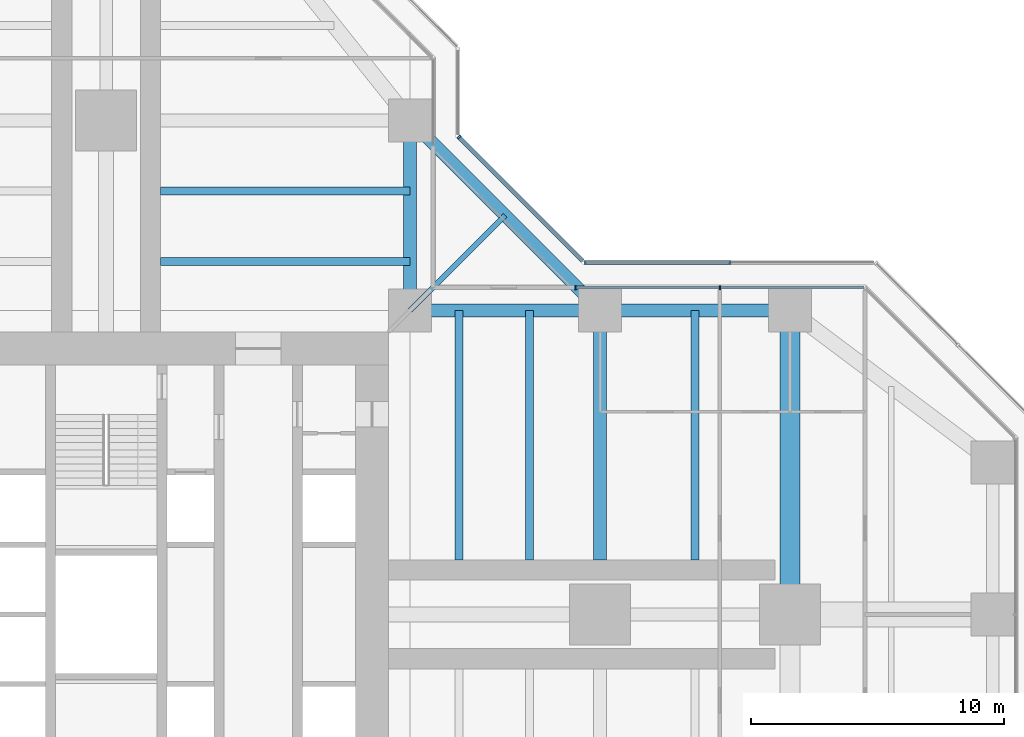
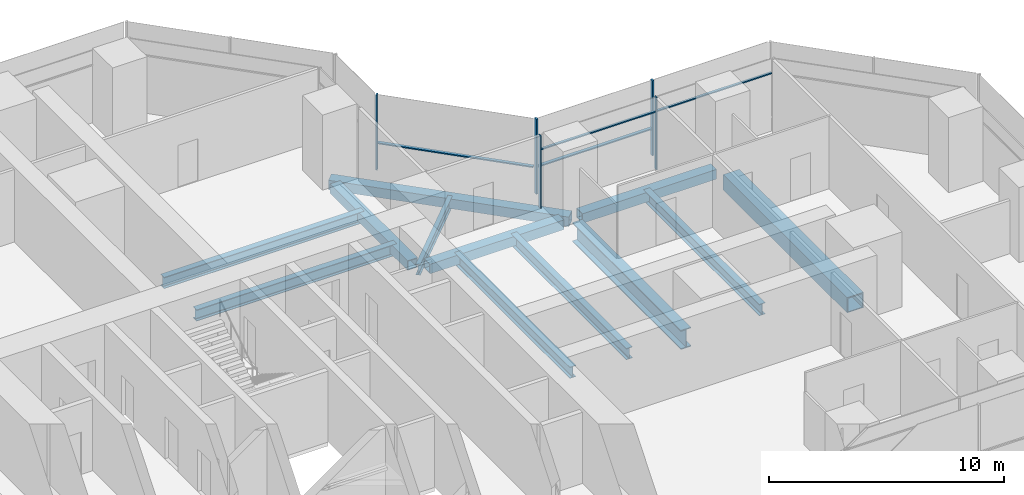
# One storey, part 9 of 20: 12 beams, 9 members, 3 elements without a shape of their own.
"""IFC4 building model written with IfcOpenShell, lengths in metres."""

from ifc_helpers import new_model, si_unit, direction, frame, origin, origin_2d, place, context, subcontext, project, spatial, rectangle, hollow_rectangle, i_section, extrude, material, material_profile, profile_set, type_object, element, aggregate, save


model = new_model("IFC4")

# Units and contexts
model_context = context("Model", 3, precision=1e-05, world=origin(), true_north=direction((0.0, 1.0)))
body_context = subcontext(model_context, "Body", "Model", "MODEL_VIEW")
ifc_project = project(units=[si_unit("LENGTHUNIT", "METRE"), si_unit("AREAUNIT", "SQUARE_METRE"), si_unit("VOLUMEUNIT", "CUBIC_METRE"), si_unit("PLANEANGLEUNIT", "RADIAN"), si_unit("MASSUNIT", "GRAM", prefix="KILO")], contexts=[model_context])

# Site, building, storey
site_placement = place(None, origin())
site = spatial("IfcSite", under=ifc_project, at=site_placement, CompositionType="ELEMENT")
building_placement = place(site_placement, origin())
building = spatial("IfcBuilding", under=site, at=building_placement, Name="Mizan Broadcast Tower", CompositionType="ELEMENT")
storey_placement = place(building_placement, frame((0.0, 0.0, 139.800048828125)))
storey = spatial("IfcBuildingStorey", under=building, at=storey_placement, Name="L31", CompositionType="ELEMENT", Elevation=139.800048828125)

# Beams
ifc_material_1 = material(Name="Steel S355", Category="steel")
ifc_material_profile_1 = material_profile(ifc_material_1, hollow_rectangle(XDim=0.5, YDim=0.5, WallThickness=0.030029296875, at=origin_2d()), Name="BOX 500x500x30")
ifc_profile_set_1 = profile_set([ifc_material_profile_1], Name="Steel S355")
beam_type_1 = type_object("IfcBeamType", Name="EDGE BEAM BOX 500x500x30", PredefinedType="SPANDREL", material=ifc_profile_set_1)
for number, where, z_axis, x_axis, name in (
    (1, (12.449951171875, 12.0, -0.380126953125), (1.0, 0.0, 0.0), (0.0, 1.0, 0.0), "Edge beam BOX 500x500x30 L31 east arm"),
    (2, (19.949951171875, 12.0, -0.380126953125), (1.0, 0.0, 0.0), (0.0, 1.0, 0.0), "Edge beam BOX 500x500x30 L31 east arm"),
    (3, (12.0, 12.449951171875, -0.380126953125), (0.0, 1.0, 0.0), (-1.0, 0.0, 0.0), "Edge beam BOX 500x500x30 L31 north arm"),
):
    element("IfcBeam", number, at=place(storey_placement, frame(where, z_axis=z_axis, x_axis=x_axis)), inside=storey, type_object=beam_type_1, Name=name, PredefinedType="SPANDREL", context=body_context, shape_type="SweptSolid", body=[
        extrude(hollow_rectangle(XDim=0.5, YDim=0.5, WallThickness=0.030029296875, at=origin_2d()), origin(), (0.0, 0.0, 1.0), 6.60009765625),
    ])
beam_1_placement = place(storey_placement, frame((19.5, 12.0, -0.380126953125), z_axis=(-0.707106781187, 0.707106781187, 0.0), x_axis=(-0.707106781187, -0.707106781187, 0.0)))
element("IfcBeam", 4, at=beam_1_placement, inside=storey, type_object=beam_type_1, Name="Winter garden edge beam L31 E", PredefinedType="SPANDREL", context=body_context, shape_type="SweptSolid", body=[
    extrude(hollow_rectangle(XDim=0.5, YDim=0.5, WallThickness=0.030029296875, at=origin_2d()), origin(), (0.0, 0.0, 1.0), 10.606689453125),
])
ifc_material_2 = material(Name="Steel S460", Category="steel")
ifc_material_profile_2 = material_profile(ifc_material_2, hollow_rectangle(XDim=0.800048828125, YDim=0.800048828125, WallThickness=0.050048828125, at=origin_2d()), Name="BOX 800x800x50")
ifc_profile_set_2 = profile_set([ifc_material_profile_2], Name="Steel S460")
beam_type_2 = type_object("IfcBeamType", Name="GIRDER BOX 800x800x50", PredefinedType="BEAM", material=ifc_profile_set_2)
beam_2_placement = place(storey_placement, frame((27.0, 11.280029296875, -0.530029296875), z_axis=(0.0, -1.0, 0.0), x_axis=(1.0, 0.0, 0.0)))
element("IfcBeam", 5, at=beam_2_placement, inside=storey, type_object=beam_type_2, Name="Girder BOX 800x800x50 L31 east arm", PredefinedType="BEAM", context=body_context, shape_type="SweptSolid", body=[
    extrude(hollow_rectangle(XDim=0.800048828125, YDim=0.800048828125, WallThickness=0.050048828125, at=origin_2d()), origin(), (0.0, 0.0, 1.0), 10.56005859375),
])
ifc_material_3 = material(Name="Steel S460", Category="steel")
ifc_material_profile_3 = material_profile(ifc_material_3, i_section(OverallWidth=0.5, OverallDepth=1.0, WebThickness=0.02490234375, FlangeThickness=0.050048828125, at=origin_2d()), Name="WPG 1000x500")
ifc_profile_set_3 = profile_set([ifc_material_profile_3], Name="Steel S460")
beam_type_3 = type_object("IfcBeamType", Name="GIRDER WPG 1000x500", PredefinedType="BEAM", material=ifc_profile_set_3)
beam_3_placement = place(storey_placement, frame((19.5, 11.408935546875, -0.630126953125), z_axis=(0.0, -1.0, 0.0), x_axis=(1.0, 0.0, 0.0)))
element("IfcBeam", 6, at=beam_3_placement, inside=storey, type_object=beam_type_3, Name="Girder WPG 1000x500 L31 east arm", PredefinedType="BEAM", context=body_context, shape_type="SweptSolid", body=[
    extrude(i_section(OverallWidth=0.5, OverallDepth=1.0, WebThickness=0.02490234375, FlangeThickness=0.050048828125, at=origin_2d()), origin(), (0.0, 0.0, 1.0), 9.259033203125),
])

# Curtain wall, members
ifc_material_4 = material(Name="Aluminium framed glazing", Category="aluminium")
curtain_wall_type_1 = type_object("IfcCurtainWallType", Name="INNER SKIN MID ZONE", PredefinedType="USERDEFINED", material=ifc_material_4)
curtain_wall_1_placement = place(storey_placement, origin())
curtain_wall_1 = element("IfcCurtainWall", 7, at=curtain_wall_1_placement, inside=storey, type_object=curtain_wall_type_1, Name="Inner skin mid zone L31 E side", ObjectType="INNER SKIN MID ZONE", PredefinedType="USERDEFINED")
ifc_material_5 = material(Name="Aluminium, pale anodised", Category="aluminium")
ifc_material_profile_4 = material_profile(ifc_material_5, rectangle(XDim=0.159912109375, YDim=0.06005859375, at=origin_2d()), Name="MULLION 160x60")
ifc_profile_set_4 = profile_set([ifc_material_profile_4], Name="Aluminium, pale anodised")
member_type_1 = type_object("IfcMemberType", Name="INNER SKIN MULLION 60x160", PredefinedType="MULLION", material=ifc_profile_set_4)
member_1_placement = place(storey_placement, frame((24.229248046875, 12.89990234375, 0.0), z_axis=(0.0, 0.0, 1.0), x_axis=(0.0, -1.0, 0.0)))
member_1 = element("IfcMember", 8, at=member_1_placement, type_object=member_type_1, Name="Inner skin mid zone L31 E side mullion 2", PredefinedType="MULLION", context=body_context, shape_type="SweptSolid", body=[
    extrude(rectangle(XDim=0.159912109375, YDim=0.06005859375, at=origin_2d()), origin(), (0.0, 0.0, 1.0), 3.77001953125),
])
member_2_placement = place(storey_placement, frame((18.530029296875, 12.89990234375, 0.0), z_axis=(0.0, 0.0, 1.0), x_axis=(0.0, -1.0, 0.0)))
member_2 = element("IfcMember", 9, at=member_2_placement, type_object=member_type_1, Name="Inner skin mid zone L31 E side mullion 3", PredefinedType="MULLION", context=body_context, shape_type="SweptSolid", body=[
    extrude(rectangle(XDim=0.159912109375, YDim=0.06005859375, at=origin_2d()), origin(), (0.0, 0.0, 1.0), 3.77001953125),
])
ifc_material_6 = material(Name="Aluminium, pale anodised", Category="aluminium")
ifc_material_profile_5 = material_profile(ifc_material_6, rectangle(XDim=0.1201171875, YDim=0.06005859375, at=origin_2d()), Name="TRANSOM 120x60")
ifc_profile_set_5 = profile_set([ifc_material_profile_5], Name="Aluminium, pale anodised")
member_type_2 = type_object("IfcMemberType", Name="INNER SKIN TRANSOM 60x120", PredefinedType="USERDEFINED", material=ifc_profile_set_5)
member_3_placement = place(storey_placement, frame((29.898681640625, 12.89990234375, 3.030029296875), z_axis=(-1.0, 0.0, 0.0), x_axis=(0.0, -1.0, 0.0)))
member_3 = element("IfcMember", 10, at=member_3_placement, type_object=member_type_2, Name="Inner skin mid zone L31 E side transom 1.1", ObjectType="TRANSOM", PredefinedType="USERDEFINED", context=body_context, shape_type="SweptSolid", body=[
    extrude(rectangle(XDim=0.1201171875, YDim=0.06005859375, at=origin_2d()), origin(), (0.0, 0.0, 1.0), 5.639404296875),
])
member_4_placement = place(storey_placement, frame((24.19921875, 12.89990234375, 3.030029296875), z_axis=(-1.0, 0.0, 0.0), x_axis=(0.0, -1.0, 0.0)))
member_4 = element("IfcMember", 11, at=member_4_placement, type_object=member_type_2, Name="Inner skin mid zone L31 E side transom 2.1", ObjectType="TRANSOM", PredefinedType="USERDEFINED", context=body_context, shape_type="SweptSolid", body=[
    extrude(rectangle(XDim=0.1201171875, YDim=0.06005859375, at=origin_2d()), origin(), (0.0, 0.0, 1.0), 5.63916015625),
])
aggregate(curtain_wall_1, [member_1, member_2, member_3, member_4])

ifc_material_7 = material(Name="Aluminium framed glazing", Category="aluminium")
curtain_wall_type_2 = type_object("IfcCurtainWallType", Name="OUTER SKIN", PredefinedType="USERDEFINED", material=ifc_material_7)
curtain_wall_2_placement = place(storey_placement, origin())
curtain_wall_2 = element("IfcCurtainWall", 12, at=curtain_wall_2_placement, inside=storey, type_object=curtain_wall_type_2, Name="Outer skin L31 E side", ObjectType="OUTER SKIN", PredefinedType="USERDEFINED")
ifc_material_8 = material(Name="Aluminium, pale anodised", Category="aluminium")
ifc_material_profile_6 = material_profile(ifc_material_8, rectangle(XDim=0.159912109375, YDim=0.080078125, at=origin_2d()), Name="MULLION 160x80")
ifc_profile_set_6 = profile_set([ifc_material_profile_6], Name="Aluminium, pale anodised")
member_type_3 = type_object("IfcMemberType", Name="OUTER SKIN MULLION 80x160", PredefinedType="MULLION", material=ifc_profile_set_6)
member_5_placement = place(storey_placement, frame((24.622802734375, 13.89990234375, 0.0), z_axis=(0.0, 0.0, 1.0), x_axis=(0.0, -1.0, 0.0)))
member_5 = element("IfcMember", 13, at=member_5_placement, type_object=member_type_3, Name="Outer skin L31 E side mullion 2", PredefinedType="MULLION", context=body_context, shape_type="SweptSolid", body=[
    extrude(rectangle(XDim=0.159912109375, YDim=0.080078125, at=origin_2d()), origin(), (0.0, 0.0, 1.0), 3.89990234375),
])
member_6_placement = place(storey_placement, frame((18.912841796875, 13.89990234375, 0.0), z_axis=(0.0, 0.0, 1.0), x_axis=(0.0, -1.0, 0.0)))
member_6 = element("IfcMember", 14, at=member_6_placement, type_object=member_type_3, Name="Outer skin L31 E side mullion 3", PredefinedType="MULLION", context=body_context, shape_type="SweptSolid", body=[
    extrude(rectangle(XDim=0.159912109375, YDim=0.080078125, at=origin_2d()), origin(), (0.0, 0.0, 1.0), 3.89990234375),
])

# Curtain wall, member
curtain_wall_3_placement = place(storey_placement, origin())
curtain_wall_3 = element("IfcCurtainWall", 15, at=curtain_wall_3_placement, inside=storey, type_object=curtain_wall_type_2, Name="Outer skin L31 E chamfer", ObjectType="OUTER SKIN", PredefinedType="USERDEFINED")
member_7_placement = place(storey_placement, frame((13.92822265625, 18.844482421875, 0.0), z_axis=(0.0, 0.0, 1.0), x_axis=(-0.707106781187, -0.707106781187, 0.0)))
member_7 = element("IfcMember", 16, at=member_7_placement, type_object=member_type_3, Name="Outer skin L31 E chamfer mullion 2", PredefinedType="MULLION", context=body_context, shape_type="SweptSolid", body=[
    extrude(rectangle(XDim=0.159912109375, YDim=0.080078125, at=origin_2d()), origin(), (0.0, 0.0, 1.0), 3.89990234375),
])

# Member
ifc_material_9 = material(Name="Aluminium, pale anodised", Category="aluminium")
ifc_material_profile_7 = material_profile(ifc_material_9, rectangle(XDim=0.159912109375, YDim=0.06005859375, at=origin_2d()), Name="TRANSOM 160x60")
ifc_profile_set_7 = profile_set([ifc_material_profile_7], Name="Aluminium, pale anodised")
member_type_4 = type_object("IfcMemberType", Name="OUTER SKIN TRANSOM 60x160", PredefinedType="USERDEFINED", material=ifc_profile_set_7)
member_8_placement = place(storey_placement, frame((24.582763671875, 13.89990234375, 1.39990234375), z_axis=(-1.0, 0.0, 0.0), x_axis=(0.0, -1.0, 0.0)))
member_8 = element("IfcMember", 17, at=member_8_placement, type_object=member_type_4, Name="Outer skin L31 E side transom 2.1", ObjectType="TRANSOM", PredefinedType="USERDEFINED", context=body_context, shape_type="SweptSolid", body=[
    extrude(rectangle(XDim=0.159912109375, YDim=0.06005859375, at=origin_2d()), origin(), (0.0, 0.0, 1.0), 5.6298828125),
])

aggregate(curtain_wall_2, [member_5, member_6, member_8])

member_9_placement = place(storey_placement, frame((18.816162109375, 13.95654296875, 1.39990234375), z_axis=(-0.707106781187, 0.707106781187, 0.0), x_axis=(-0.707106781187, -0.707106781187, 0.0)))
member_9 = element("IfcMember", 18, at=member_9_placement, type_object=member_type_4, Name="Outer skin L31 E chamfer transom 1.1", ObjectType="TRANSOM", PredefinedType="USERDEFINED", context=body_context, shape_type="SweptSolid", body=[
    extrude(rectangle(XDim=0.159912109375, YDim=0.06005859375, at=origin_2d()), origin(), (0.0, 0.0, 1.0), 6.87255859375),
])

aggregate(curtain_wall_3, [member_7, member_9])

# Beams
ifc_material_10 = material(Name="Steel S355", Category="steel")
ifc_material_profile_8 = material_profile(ifc_material_10, i_section(OverallWidth=0.300048828125, OverallDepth=0.590087890625, WebThickness=0.012939453125, FlangeThickness=0.02490234375, FilletRadius=0.027099609375, at=origin_2d()), Name="HEA 600")
ifc_profile_set_8 = profile_set([ifc_material_profile_8], Name="Steel S355")
beam_type_4 = type_object("IfcBeamType", Name="SECONDARY BEAM HEA 600", PredefinedType="JOIST", material=ifc_profile_set_8)
for number, where, z_axis, x_axis, name in (
    (19, (13.933349609375, 12.0, -0.425048828125), (0.0, -1.0, 0.0), (1.0, 0.0, 0.0), "Secondary beam HEA 600 L31 east arm"),
    (20, (16.716552734375, 12.0, -0.425048828125), (0.0, -1.0, 0.0), (1.0, 0.0, 0.0), "Secondary beam HEA 600 L31 east arm"),
    (21, (23.25, 12.0, -0.425048828125), (0.0, -1.0, 0.0), (1.0, 0.0, 0.0), "Secondary beam HEA 600 L31 east arm"),
    (22, (12.0, 13.933349609375, -0.425048828125), (-1.0, 0.0, 0.0), (0.0, -1.0, 0.0), "Secondary beam HEA 600 L31 north arm"),
    (23, (12.0, 16.716552734375, -0.425048828125), (-1.0, 0.0, 0.0), (0.0, -1.0, 0.0), "Secondary beam HEA 600 L31 north arm"),
):
    element("IfcBeam", number, at=place(storey_placement, frame(where, z_axis=z_axis, x_axis=x_axis)), inside=storey, type_object=beam_type_4, Name=name, PredefinedType="JOIST", context=body_context, shape_type="SweptSolid", body=[
        extrude(i_section(OverallWidth=0.300048828125, OverallDepth=0.590087890625, WebThickness=0.012939453125, FlangeThickness=0.02490234375, FilletRadius=0.027099609375, at=origin_2d()), origin(), (0.0, 0.0, 1.0), 9.85009765625),
    ])
ifc_material_11 = material(Name="Steel S355", Category="steel")
ifc_material_profile_9 = material_profile(ifc_material_11, i_section(OverallWidth=0.2099609375, OverallDepth=0.550048828125, WebThickness=0.010986328125, FlangeThickness=0.01708984375, FilletRadius=0.02392578125, at=origin_2d()), Name="IPE 550")
ifc_profile_set_9 = profile_set([ifc_material_profile_9], Name="Steel S355")
beam_type_5 = type_object("IfcBeamType", Name="SECONDARY BEAM IPE 550", PredefinedType="JOIST", material=ifc_profile_set_9)
beam_4_placement = place(storey_placement, frame((12.0, 12.0, -0.405029296875), z_axis=(0.707106781187, 0.707106781187, 0.0), x_axis=(-0.707106781187, 0.707106781187, 0.0)))
element("IfcBeam", 24, at=beam_4_placement, inside=storey, type_object=beam_type_5, Name="Winter garden beam L31 E", PredefinedType="JOIST", context=body_context, shape_type="SweptSolid", body=[
    extrude(i_section(OverallWidth=0.2099609375, OverallDepth=0.550048828125, WebThickness=0.010986328125, FlangeThickness=0.01708984375, FilletRadius=0.02392578125, at=origin_2d()), origin(), (0.0, 0.0, 1.0), 5.30322265625),
])

save(model, "model.ifc")
